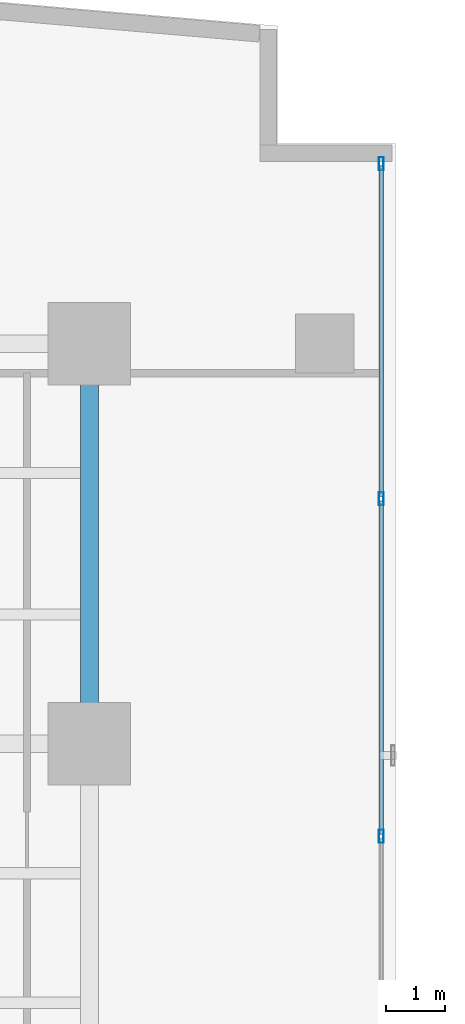
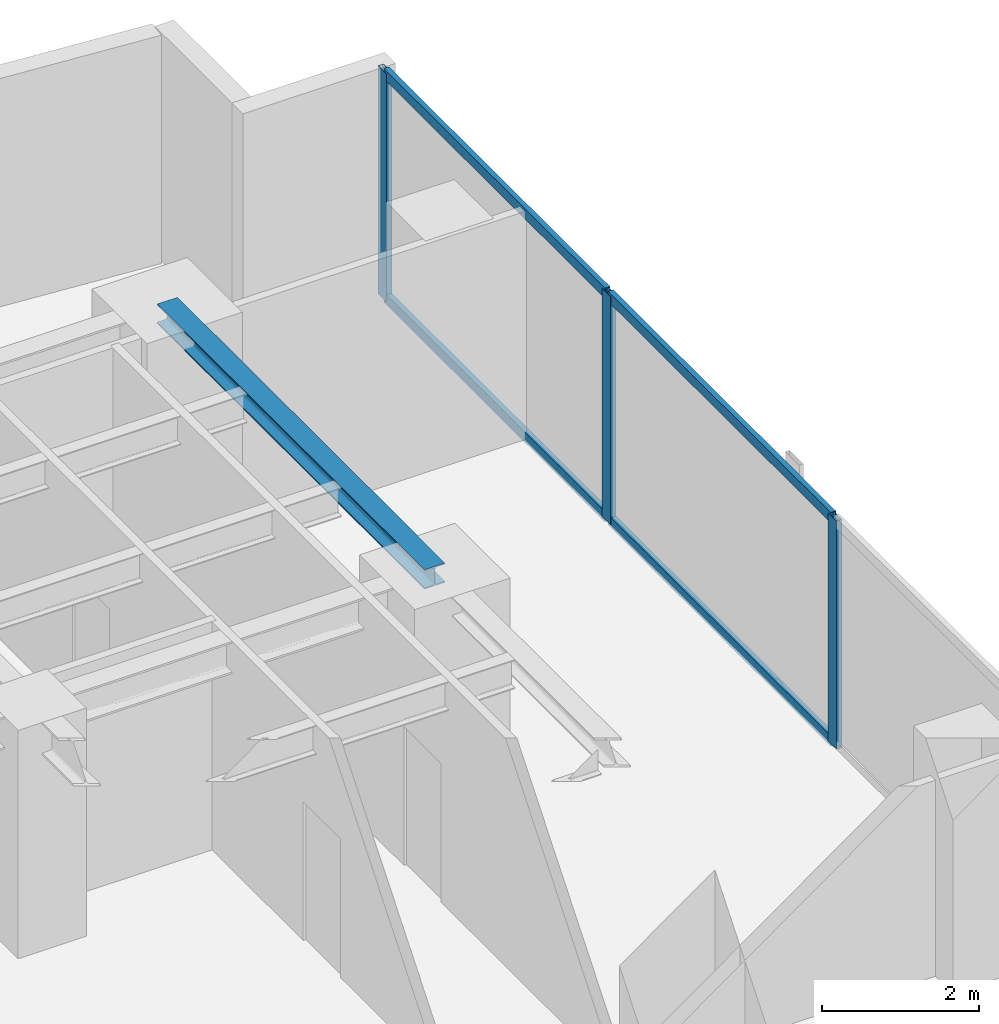
# One storey, part 17 of 24: 7 members, 1 beam, 1 element without a shape of its own.
"""IFC4 building model written with IfcOpenShell, lengths in metres."""

from ifc_helpers import new_model, si_unit, direction, frame, origin, origin_with_axes, origin_2d, place, context, subcontext, project, spatial, hollow_rectangle, i_section, extrude, source, transform, mapped, material, layer, layer_set, material_profile, profile_set, type_object, element, aggregate, save


model = new_model("IFC4")

# Units and contexts
model_context = context("Model", 3, precision=1e-05, world=origin(), true_north=direction((0.0, 1.0)))
body_context = subcontext(model_context, "Body", "Model", "MODEL_VIEW")
ifc_project = project(units=[si_unit("LENGTHUNIT", "METRE"), si_unit("AREAUNIT", "SQUARE_METRE"), si_unit("VOLUMEUNIT", "CUBIC_METRE"), si_unit("PLANEANGLEUNIT", "RADIAN"), si_unit("MASSUNIT", "GRAM", prefix="KILO")], contexts=[model_context])

# Site, building, storey
site_placement = place(None, origin())
site = spatial("IfcSite", under=ifc_project, at=site_placement, CompositionType="ELEMENT")
building_placement = place(site_placement, origin())
building = spatial("IfcBuilding", under=site, at=building_placement, Name="Kolvaren Waterfront Exchange", CompositionType="ELEMENT")
storey_placement = place(building_placement, frame((0.0, 0.0, 95.5)))
storey = spatial("IfcBuildingStorey", under=building, at=storey_placement, Name="L24", CompositionType="ELEMENT", Elevation=95.5)

# Beam
ifc_material_1 = material(Name="Steel S355", Category="steel")
ifc_material_profile_1 = material_profile(ifc_material_1, i_section(OverallWidth=0.300048828125, OverallDepth=0.300048828125, WebThickness=0.010986328125, FlangeThickness=0.01904296875, FilletRadius=0.027099609375, at=origin_2d()), Name="HEB300")
ifc_profile_set_1 = profile_set([ifc_material_profile_1], Name="Steel S355")
beam_type = type_object("IfcBeamType", Name="STR-BM-HEB300", PredefinedType="SPANDREL", material=ifc_profile_set_1)
beam_placement = place(storey_placement, frame((18.800048828125, 37.800048828125, 3.389892578125), z_axis=(0.0, 1.0, 0.0), x_axis=(-1.0, 0.0, 0.0)))
element("IfcBeam", 1, at=beam_placement, inside=storey, type_object=beam_type, Name="L24 north-arm edge beam 3", PredefinedType="SPANDREL", context=body_context, shape_type="SweptSolid", body=[
    extrude(i_section(OverallWidth=0.300048828125, OverallDepth=0.300048828125, WebThickness=0.010986328125, FlangeThickness=0.01904296875, FilletRadius=0.027099609375, at=origin_2d()), origin(), (0.0, 0.0, 1.0), 6.800048828125),
])

# Curtain wall, members
ifc_material_2 = material(Name="Anodised bronze aluminium 6063-T6", Category="aluminium")
ifc_layer = layer(ifc_material_2, 0.219970703125, Name="Anodised bronze aluminium 6063-T6")
ifc_layer_set = layer_set([ifc_layer], Name="Anodised bronze aluminium 6063-T6")
curtain_wall_type = type_object("IfcCurtainWallType", Name="ARC-CW-SYS1", PredefinedType="USERDEFINED", material=ifc_layer_set)
curtain_wall_placement = place(storey_placement, origin())
curtain_wall = element("IfcCurtainWall", 2, at=curtain_wall_placement, inside=storey, type_object=curtain_wall_type, Name="L24 stick curtain wall CW1 (CW-L24-NE)", ObjectType="STICK CURTAIN WALL", PredefinedType="USERDEFINED")
ifc_material_3 = material(Name="Anodised aluminium 6063-T6", Category="aluminium")
ifc_material_profile_2 = material_profile(ifc_material_3, hollow_rectangle(XDim=0.080078125, YDim=0.219970703125, WallThickness=0.0048828125, at=origin_2d()), Name="ALU-MUL-220x80x5")
ifc_profile_set_2 = profile_set([ifc_material_profile_2], Name="Anodised aluminium 6063-T6")
member_type_1 = type_object("IfcMemberType", Name="ARC-CWM-220", PredefinedType="MULLION", material=ifc_profile_set_2)
shared_shape_1 = source(origin_with_axes(), body_context, "Body", "SweptSolid", [
    extrude(hollow_rectangle(XDim=0.080078125, YDim=0.219970703125, WallThickness=0.0048828125, at=origin_2d()), origin(), (0.0, 0.0, 1.0), 3.5400390625),
])
member_1_placement = place(storey_placement, frame((23.760009765625, 36.2265625, 0.0), z_axis=(0.0, 0.0, 1.0), x_axis=(-1.0, 0.0, 0.0)))
member_1 = element("IfcMember", 3, at=member_1_placement, type_object=member_type_1, Name="CW1 mullion 2", PredefinedType="MULLION", context=body_context, shape_type="MappedRepresentation", body=[
    mapped(shared_shape_1, transform((0.0, 0.0, 0.0), x_axis=(1.0, 0.0, 0.0), y_axis=(0.0, 1.0, 0.0), z_axis=(0.0, 0.0, 1.0), scale=1.0)),
])
member_2_placement = place(storey_placement, frame((23.760009765625, 41.96337890625, 0.0), z_axis=(0.0, 0.0, 1.0), x_axis=(-1.0, 0.0, 0.0)))
member_2 = element("IfcMember", 4, at=member_2_placement, type_object=member_type_1, Name="CW1 mullion 3", PredefinedType="MULLION", context=body_context, shape_type="MappedRepresentation", body=[
    mapped(shared_shape_1, transform((0.0, 0.0, 0.0), x_axis=(1.0, 0.0, 0.0), y_axis=(0.0, 1.0, 0.0), z_axis=(0.0, 0.0, 1.0), scale=1.0)),
])
member_3_placement = place(storey_placement, frame((23.760009765625, 47.659912109375, 0.0), z_axis=(0.0, 0.0, 1.0), x_axis=(-1.0, 0.0, 0.0)))
member_3 = element("IfcMember", 5, at=member_3_placement, type_object=member_type_1, Name="CW1 mullion 4", PredefinedType="MULLION", context=body_context, shape_type="MappedRepresentation", body=[
    mapped(shared_shape_1, transform((0.0, 0.0, 0.0), x_axis=(1.0, 0.0, 0.0), y_axis=(0.0, 1.0, 0.0), z_axis=(0.0, 0.0, 1.0), scale=1.0)),
])
ifc_material_profile_3 = material_profile(ifc_material_3, hollow_rectangle(XDim=0.074951171875, YDim=0.159912109375, WallThickness=0.00439453125, at=origin_2d()), Name="ALU-TRN-160x75x4.5")
ifc_profile_set_3 = profile_set([ifc_material_profile_3], Name="Anodised aluminium 6063-T6")
member_type_2 = type_object("IfcMemberType", Name="ARC-CWT-160", PredefinedType="USERDEFINED", material=ifc_profile_set_3)
shared_shape_2 = source(origin_with_axes(), body_context, "Body", "SweptSolid", [
    extrude(hollow_rectangle(XDim=0.074951171875, YDim=0.159912109375, WallThickness=0.00439453125, at=origin_2d()), origin(), (0.0, 0.0, 1.0), 5.61669921875),
])
member_4_placement = place(storey_placement, frame((23.760009765625, 42.00341796875, 0.03759765625), z_axis=(0.0, 1.0, 0.0), x_axis=(-1.0, 0.0, 0.0)))
member_4 = element("IfcMember", 6, at=member_4_placement, type_object=member_type_2, Name="CW1 transom 3.1", ObjectType="TRANSOM", PredefinedType="USERDEFINED", context=body_context, shape_type="MappedRepresentation", body=[
    mapped(shared_shape_2, transform((0.0, 0.0, 0.0), x_axis=(1.0, 0.0, 0.0), y_axis=(0.0, 1.0, 0.0), z_axis=(0.0, 0.0, 1.0), scale=1.0)),
])
member_5_placement = place(storey_placement, frame((23.760009765625, 42.00341796875, 3.50244140625), z_axis=(0.0, 1.0, 0.0), x_axis=(-1.0, 0.0, 0.0)))
member_5 = element("IfcMember", 7, at=member_5_placement, type_object=member_type_2, Name="CW1 transom 3.2", ObjectType="TRANSOM", PredefinedType="USERDEFINED", context=body_context, shape_type="MappedRepresentation", body=[
    mapped(shared_shape_2, transform((0.0, 0.0, 0.0), x_axis=(1.0, 0.0, 0.0), y_axis=(0.0, 1.0, 0.0), z_axis=(0.0, 0.0, 1.0), scale=1.0)),
])
shared_shape_3 = source(origin_with_axes(), body_context, "Body", "SweptSolid", [
    extrude(hollow_rectangle(XDim=0.074951171875, YDim=0.159912109375, WallThickness=0.00439453125, at=origin_2d()), origin(), (0.0, 0.0, 1.0), 5.65673828125),
])
member_6_placement = place(storey_placement, frame((23.760009765625, 36.2666015625, 0.03759765625), z_axis=(0.0, 1.0, 0.0), x_axis=(-1.0, 0.0, 0.0)))
member_6 = element("IfcMember", 8, at=member_6_placement, type_object=member_type_2, Name="CW1 transom 2.1", ObjectType="TRANSOM", PredefinedType="USERDEFINED", context=body_context, shape_type="MappedRepresentation", body=[
    mapped(shared_shape_3, transform((0.0, 0.0, 0.0), x_axis=(1.0, 0.0, 0.0), y_axis=(0.0, 1.0, 0.0), z_axis=(0.0, 0.0, 1.0), scale=1.0)),
])
member_7_placement = place(storey_placement, frame((23.760009765625, 36.2666015625, 3.50244140625), z_axis=(0.0, 1.0, 0.0), x_axis=(-1.0, 0.0, 0.0)))
member_7 = element("IfcMember", 9, at=member_7_placement, type_object=member_type_2, Name="CW1 transom 2.2", ObjectType="TRANSOM", PredefinedType="USERDEFINED", context=body_context, shape_type="MappedRepresentation", body=[
    mapped(shared_shape_3, transform((0.0, 0.0, 0.0), x_axis=(1.0, 0.0, 0.0), y_axis=(0.0, 1.0, 0.0), z_axis=(0.0, 0.0, 1.0), scale=1.0)),
])
aggregate(curtain_wall, [member_1, member_2, member_3, member_6, member_7, member_4, member_5])

save(model, "model.ifc")
